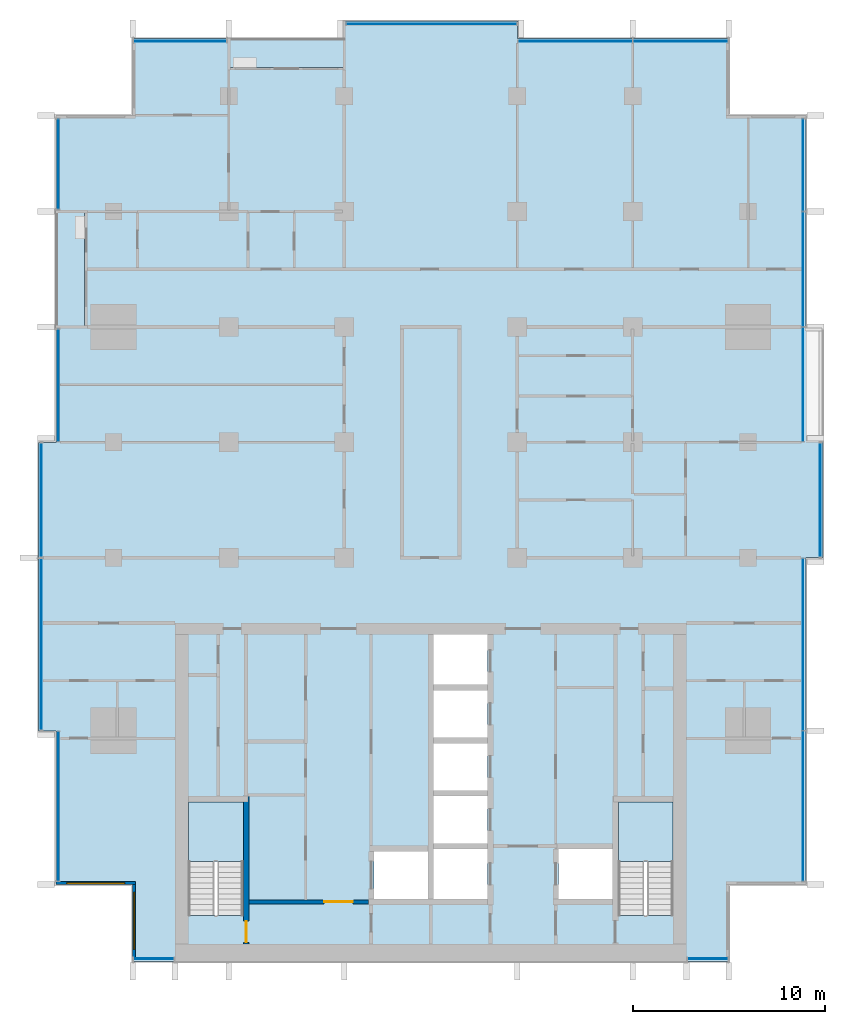
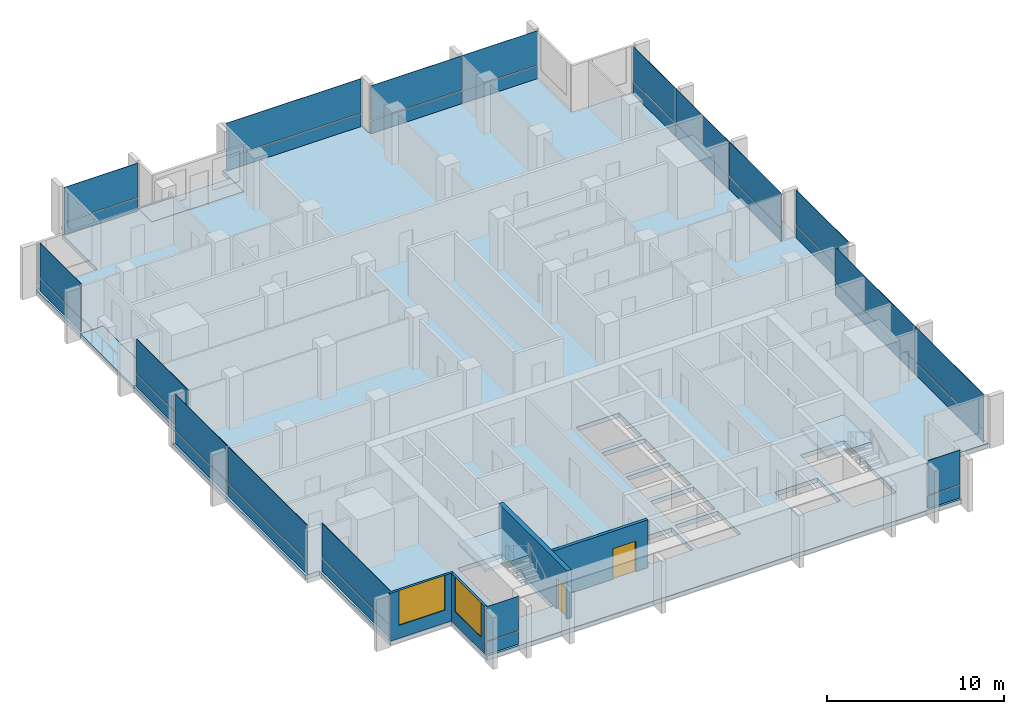
# One storey, part 6 of 16: 34 plates, 5 slabs, 4 walls, 2 doors, 2 windows, 4 openings, 15 elements without a shape of their own.
"""IFC4 building model written with IfcOpenShell, lengths in metres."""

import ifcopenshell
import ifcopenshell.guid

model = None  # the IFC model being written
_history = None  # IfcOwnerHistory: only IFC2X3 demands one
_inside = {}  # id of a spatial element -> (the spatial element, [elements in it])
_under = {}  # id of a project, library or spatial element -> (it, [spatial elements below it])
_declared = {}  # id of a project -> (the project, [libraries it declares])
_typed = {}  # id of a type object -> (the type object, [elements of that type])
_made_of = {}  # id of a material, layer set ... -> (it, [elements and type objects made of it])


def new_model(schema):
    """Start an empty IFC model of exactly this schema.

    Asked for "IFC4X3", IfcOpenShell would pick the latest addendum, in which some entities
    have other attributes; the version numbers below select the first issue.
    IFC2X3 requires an IfcOwnerHistory on every rooted entity: one is made here for all.
    """
    global model, _history
    if schema == "IFC4X3":
        model = ifcopenshell.file(schema_version=(4, 3, 0, 0))
    else:
        model = ifcopenshell.file(schema=schema)
    _inside.clear()
    _under.clear()
    _declared.clear()
    _typed.clear()
    _made_of.clear()
    _history = None
    if model.schema == "IFC2X3":
        org = make("IfcOrganization", Name="unknown")
        user = make(
            "IfcPersonAndOrganization",
            ThePerson=make("IfcPerson", FamilyName="unknown"),
            TheOrganization=org,
        )
        app = make(
            "IfcApplication",
            ApplicationDeveloper=org,
            Version="unknown",
            ApplicationFullName="unknown",
            ApplicationIdentifier="unknown",
        )
        _history = make(
            "IfcOwnerHistory",
            OwningUser=user,
            OwningApplication=app,
            ChangeAction="ADDED",
            CreationDate=0,
        )
    return model


def make(cls, **values):
    """One entity of the class cls with the attributes given. An attribute that is None is left unset."""
    return model.create_entity(
        cls, **{name: value for name, value in values.items() if value is not None}
    )


def rooted(cls, **values):
    """An entity with a GlobalId (a new one), such as an element, a storey or a relation."""
    return make(cls, GlobalId=ifcopenshell.guid.new(), OwnerHistory=_history, **values)


def si_unit(unit_type, name, prefix=None):
    """IfcSIUnit, for example si_unit("LENGTHUNIT", "METRE", prefix="MILLI")."""
    return make("IfcSIUnit", UnitType=unit_type, Prefix=prefix, Name=name)


def assignment(units):
    """IfcUnitAssignment: the units of a project."""
    return None if units is None else make("IfcUnitAssignment", Units=units)


def point(xyz):
    """IfcCartesianPoint."""
    return None if xyz is None else make("IfcCartesianPoint", Coordinates=xyz)


def direction(xyz):
    """IfcDirection."""
    return None if xyz is None else make("IfcDirection", DirectionRatios=xyz)


def frame(location, z_axis=None, x_axis=None):
    """IfcAxis2Placement3D, a coordinate frame: its origin and axes. An axis left out is left unset."""
    return make(
        "IfcAxis2Placement3D",
        Location=point(location),
        Axis=direction(z_axis),
        RefDirection=direction(x_axis),
    )


def frame_2d(location, x_axis=None):
    """IfcAxis2Placement2D, a coordinate frame in the plane: its origin and x axis."""
    return make(
        "IfcAxis2Placement2D", Location=point(location), RefDirection=direction(x_axis)
    )


def origin():
    """The frame at (0, 0, 0) with its axes left unset."""
    return frame((0.0, 0.0, 0.0))


def origin_2d():
    """The frame at (0, 0) in the plane with its x axis left unset."""
    return frame_2d((0.0, 0.0))


def place(relative_to, where):
    """IfcLocalPlacement: puts the frame where relative to a parent placement (None: the world)."""
    return make(
        "IfcLocalPlacement", PlacementRelTo=relative_to, RelativePlacement=where
    )


def context(
    kind, dimensions, precision=None, world=None, true_north=None, identifier=None
):
    """IfcGeometricRepresentationContext, for example the 3D "Model" context."""
    return make(
        "IfcGeometricRepresentationContext",
        ContextIdentifier=identifier,
        ContextType=kind,
        CoordinateSpaceDimension=dimensions,
        Precision=precision,
        WorldCoordinateSystem=world,
        TrueNorth=true_north,
    )


def subcontext(parent, identifier, kind, view, scale=None):
    """IfcGeometricRepresentationSubContext, for example "Body" below "Model"."""
    return make(
        "IfcGeometricRepresentationSubContext",
        ContextIdentifier=identifier,
        ContextType=kind,
        ParentContext=parent,
        TargetScale=scale,
        TargetView=view,
    )


def project(units=None, contexts=None):
    """IfcProject with its units and contexts."""
    return rooted(
        "IfcProject",
        Name="project",
        RepresentationContexts=contexts,
        UnitsInContext=assignment(units),
    )


def spatial(cls, under=None, at=None, **own):
    """A site, building, storey or space (cls), placed at a placement, below another one or the project."""
    s = rooted(cls, ObjectPlacement=at, **own)
    if under is not None:
        _under.setdefault(under.id(), (under, []))[1].append(s)
    return s


def polyline(points):
    """IfcPolyline through the points."""
    return make("IfcPolyline", Points=[point(p) for p in points])


def profile(cls, at=None, kind="AREA", **sizes):
    """A parametric profile (cls). Its sizes go by their IFC names, for example OverallWidth=200.0."""
    return make(cls, ProfileType=kind, Position=at, **sizes)


def rectangle(**sizes):
    """IfcRectangleProfileDef."""
    return profile("IfcRectangleProfileDef", **sizes)


def outline(outer, holes=None, kind="AREA"):
    """IfcArbitraryClosedProfileDef: a profile drawn as a closed curve; with holes, ...WithVoids."""
    if holes is None:
        return make("IfcArbitraryClosedProfileDef", ProfileType=kind, OuterCurve=outer)
    return make(
        "IfcArbitraryProfileDefWithVoids",
        ProfileType=kind,
        OuterCurve=outer,
        InnerCurves=holes,
    )


def extrude(swept, where, along, depth):
    """IfcExtrudedAreaSolid: the profile swept, set in the frame where, extruded along a direction by depth."""
    return make(
        "IfcExtrudedAreaSolid",
        SweptArea=swept,
        Position=where,
        ExtrudedDirection=direction(along),
        Depth=depth,
    )


def shape(context_of_items, identifier, shape_type, items):
    """IfcShapeRepresentation: the items that make up one representation, for example the "Body"."""
    return make(
        "IfcShapeRepresentation",
        ContextOfItems=context_of_items,
        RepresentationIdentifier=identifier,
        RepresentationType=shape_type,
        Items=items,
    )


def material(Name=None, Category=None):
    """IfcMaterial."""
    return make("IfcMaterial", Name=Name, Category=Category)


def layer(
    of_material, thickness, ventilated=None, Name=None, Category=None, Priority=None
):
    """IfcMaterialLayer: one layer of a wall or slab, of a material (None: an air gap)."""
    return make(
        "IfcMaterialLayer",
        Material=of_material,
        LayerThickness=thickness,
        IsVentilated=ventilated,
        Name=Name,
        Category=Category,
        Priority=Priority,
    )


def layer_set(layers, Name=None):
    """IfcMaterialLayerSet."""
    return make("IfcMaterialLayerSet", MaterialLayers=layers, LayerSetName=Name)


def made_of(thing, what):
    """Note that an element or type object is made of a material, layer set ...; save() writes the relation."""
    if what is not None:
        _made_of.setdefault(what.id(), (what, []))[1].append(thing)
    return thing


def type_object(cls, material=None, **own):
    """A type object (cls), such as IfcWallType, which elements share."""
    return made_of(rooted(cls, **own), material)


def element(
    cls,
    number,
    at=None,
    inside=None,
    cuts=None,
    type_object=None,
    material=None,
    context=None,
    identifier="Body",
    shape_type=None,
    held_by="IfcProductDefinitionShape",
    body=None,
    shapes=None,
    **own,
):
    """One element of the class cls, such as IfcWall. Its Tag is "e" and its number.

    at: its placement. inside: the storey or other place that contains it. cuts: it is an
    opening in that element (IfcRelVoidsElement). A single representation is given by context,
    identifier, shape_type and body (its items); several are given by shapes. held_by: the class
    of the entity that holds the representations. save() writes the other relations.
    """
    e = rooted(cls, Tag="e%d" % number, ObjectPlacement=at, **own)
    if body is not None:
        shapes = [shape(context, identifier, shape_type, body)]
    if shapes is not None:
        e.Representation = make(held_by, Representations=shapes)
    if inside is not None:
        _inside.setdefault(inside.id(), (inside, []))[1].append(e)
    if cuts is not None:
        rooted(
            "IfcRelVoidsElement", RelatingBuildingElement=cuts, RelatedOpeningElement=e
        )
    if type_object is not None:
        _typed.setdefault(type_object.id(), (type_object, []))[1].append(e)
    return made_of(e, material)


def fill(opening, filler):
    """IfcRelFillsElement: the door or window that sits in an opening."""
    return rooted(
        "IfcRelFillsElement",
        RelatingOpeningElement=opening,
        RelatedBuildingElement=filler,
    )


def aggregate(whole, parts):
    """IfcRelAggregates: a whole, such as a stair, and the parts it consists of."""
    return rooted("IfcRelAggregates", RelatingObject=whole, RelatedObjects=parts)


def save(model, path):
    """Write the relations noted so far, then the file.

    IfcRelAggregates (storeys below a building ...), IfcRelContainedInSpatialStructure (elements
    in a storey), IfcRelDefinesByType, IfcRelAssociatesMaterial and IfcRelDeclares: one each for
    every whole, place, type object, material and project.
    """
    for whole, parts in _under.values():
        aggregate(whole, parts)
    for where, things in _inside.values():
        rooted(
            "IfcRelContainedInSpatialStructure",
            RelatedElements=things,
            RelatingStructure=where,
        )
    for kind, things in _typed.values():
        rooted("IfcRelDefinesByType", RelatedObjects=things, RelatingType=kind)
    for what, things in _made_of.values():
        rooted("IfcRelAssociatesMaterial", RelatedObjects=things, RelatingMaterial=what)
    for by, libraries in _declared.values():
        rooted("IfcRelDeclares", RelatingContext=by, RelatedDefinitions=libraries)
    model.write(path)


model = new_model("IFC4")

# Units and contexts
model_context = context("Model", 3, precision=1e-05, world=origin(), true_north=direction((0.0, 1.0)))
body_context = subcontext(model_context, "Body", "Model", "MODEL_VIEW")
ifc_project = project(units=[si_unit("LENGTHUNIT", "METRE"), si_unit("AREAUNIT", "SQUARE_METRE"), si_unit("VOLUMEUNIT", "CUBIC_METRE"), si_unit("PLANEANGLEUNIT", "RADIAN"), si_unit("MASSUNIT", "GRAM", prefix="KILO")], contexts=[model_context])

# Site, building, storey
site_placement = place(None, origin())
site = spatial("IfcSite", under=ifc_project, at=site_placement, CompositionType="ELEMENT")
building_placement = place(site_placement, origin())
building = spatial("IfcBuilding", under=site, at=building_placement, Name="Finial Court Residences", CompositionType="ELEMENT")
storey_placement = place(building_placement, frame((0.0, 0.0, 185.300048828125)))
storey = spatial("IfcBuildingStorey", under=building, at=storey_placement, Name="L46", CompositionType="ELEMENT", Elevation=185.300048828125)

# Slabs
ifc_material_1 = material(Name="Concrete C35/45", Category="concrete")
ifc_layer_1 = layer(ifc_material_1, 0.199951171875)
ifc_layer_set_1 = layer_set([ifc_layer_1], Name="Balcony slab, Concrete C35/45 200")
slab_type_1 = type_object("IfcSlabType", Name="Balcony slab, Concrete C35/45 200", PredefinedType="FLOOR", material=ifc_layer_set_1)
slab_1_placement = place(storey_placement, frame((0.0, 0.0, -0.199951171875)))
element("IfcSlab", 1, at=slab_1_placement, inside=storey, type_object=slab_type_1, Name="Balcony L46-N2", PredefinedType="FLOOR", context=body_context, shape_type="SweptSolid", body=[
    extrude(outline(polyline([(-4.5, 21.0), (-4.5, 22.5), (-10.5, 22.5), (-10.5, 21.0), (-4.5, 21.0)])), origin(), (0.0, 0.0, 1.0), 0.199951171875),
])
slab_2_placement = place(storey_placement, frame((0.0, 0.0, -0.199951171875)))
element("IfcSlab", 2, at=slab_2_placement, inside=storey, type_object=slab_type_1, Name="Balcony L46-W5", PredefinedType="FLOOR", context=body_context, shape_type="SweptSolid", body=[
    extrude(outline(polyline([(-18.0, 7.5), (-18.0, 13.5), (-19.5, 13.5), (-19.5, 7.5), (-18.0, 7.5)])), origin(), (0.0, 0.0, 1.0), 0.199951171875),
])

# Curtain wall, plate
ifc_material_2 = material(Name="Bronze anodised aluminium", Category="aluminium")
curtain_wall_type = type_object("IfcCurtainWallType", Name="Unitised curtain wall, upper zones", PredefinedType="NOTDEFINED", material=ifc_material_2)
curtain_wall_1_placement = place(storey_placement, origin())
curtain_wall_1 = element("IfcCurtainWall", 3, at=curtain_wall_1_placement, inside=storey, type_object=curtain_wall_type, Name="E-L46-CW-N1", PredefinedType="NOTDEFINED")
ifc_layer_2 = layer(ifc_material_2, 0.035888671875)
ifc_layer_set_2 = layer_set([ifc_layer_2], Name="CW2 spandrel panel 36")
plate_type_1 = type_object("IfcPlateType", Name="CW2 spandrel panel 36", PredefinedType="CURTAIN_PANEL", material=ifc_layer_set_2)
plate_1_placement = place(storey_placement, frame((-13.03759765625, 22.35009765625, 0.0), z_axis=(0.0, 0.0, 1.0), x_axis=(1.0, 0.0, 0.0)))
plate_1 = element("IfcPlate", 4, at=plate_1_placement, type_object=plate_type_1, Name="CW2 spandrel 1.1", PredefinedType="CURTAIN_PANEL", context=body_context, shape_type="SweptSolid", body=[
    extrude(rectangle(XDim=4.804931640625, YDim=0.035888671875, at=origin_2d()), origin(), (0.0, 0.0, 1.0), 0.8701171875),
])

curtain_wall_2_placement = place(storey_placement, origin())
curtain_wall_2 = element("IfcCurtainWall", 5, at=curtain_wall_2_placement, inside=storey, type_object=curtain_wall_type, Name="E-L46-CW-N2", PredefinedType="NOTDEFINED")
plate_2_placement = place(storey_placement, frame((0.03759765625, 23.25, 0.0), z_axis=(0.0, 0.0, 1.0), x_axis=(1.0, 0.0, 0.0)))
plate_2 = element("IfcPlate", 6, at=plate_2_placement, type_object=plate_type_1, Name="CW2 spandrel 1.1", PredefinedType="CURTAIN_PANEL", context=body_context, shape_type="SweptSolid", body=[
    extrude(rectangle(XDim=8.804931640625, YDim=0.035888671875, at=origin_2d()), origin(), (0.0, 0.0, 1.0), 0.8701171875),
])

# Curtain wall, plates
curtain_wall_3_placement = place(storey_placement, origin())
curtain_wall_3 = element("IfcCurtainWall", 7, at=curtain_wall_3_placement, inside=storey, type_object=curtain_wall_type, Name="E-L46-CW-N3", PredefinedType="NOTDEFINED")
plate_3_placement = place(storey_placement, frame((7.514892578125, 22.35009765625, 0.0), z_axis=(0.0, 0.0, 1.0), x_axis=(1.0, 0.0, 0.0)))
plate_3 = element("IfcPlate", 8, at=plate_3_placement, type_object=plate_type_1, Name="CW2 spandrel 1.1", PredefinedType="CURTAIN_PANEL", context=body_context, shape_type="SweptSolid", body=[
    extrude(rectangle(XDim=5.909912109375, YDim=0.035888671875, at=origin_2d()), origin(), (0.0, 0.0, 1.0), 0.8701171875),
])
plate_4_placement = place(storey_placement, frame((12.985107421875, 22.35009765625, 0.0), z_axis=(0.0, 0.0, 1.0), x_axis=(1.0, 0.0, 0.0)))
plate_4 = element("IfcPlate", 9, at=plate_4_placement, type_object=plate_type_1, Name="CW2 spandrel 2.1", PredefinedType="CURTAIN_PANEL", context=body_context, shape_type="SweptSolid", body=[
    extrude(rectangle(XDim=4.909912109375, YDim=0.035888671875, at=origin_2d()), origin(), (0.0, 0.0, 1.0), 0.8701171875),
])

curtain_wall_4_placement = place(storey_placement, origin())
curtain_wall_4 = element("IfcCurtainWall", 10, at=curtain_wall_4_placement, inside=storey, type_object=curtain_wall_type, Name="E-L46-CW-E4", PredefinedType="NOTDEFINED")
plate_5_placement = place(storey_placement, frame((19.35009765625, -17.409912109375, 0.0), z_axis=(0.0, 0.0, 1.0), x_axis=(0.0, 1.0, 0.0)))
plate_5 = element("IfcPlate", 11, at=plate_5_placement, type_object=plate_type_1, Name="CW2 spandrel 1.1", PredefinedType="CURTAIN_PANEL", context=body_context, shape_type="SweptSolid", body=[
    extrude(rectangle(XDim=7.760009765625, YDim=0.035888671875, at=origin_2d()), origin(), (0.0, 0.0, 1.0), 0.8701171875),
])
plate_6_placement = place(storey_placement, frame((19.35009765625, -9.014892578125, 0.0), z_axis=(0.0, 0.0, 1.0), x_axis=(0.0, 1.0, 0.0)))
plate_6 = element("IfcPlate", 12, at=plate_6_placement, type_object=plate_type_1, Name="CW2 spandrel 2.1", PredefinedType="CURTAIN_PANEL", context=body_context, shape_type="SweptSolid", body=[
    extrude(rectangle(XDim=8.909912109375, YDim=0.035888671875, at=origin_2d()), origin(), (0.0, 0.0, 1.0), 0.8701171875),
])

# Curtain wall, plate
curtain_wall_5_placement = place(storey_placement, origin())
curtain_wall_5 = element("IfcCurtainWall", 13, at=curtain_wall_5_placement, inside=storey, type_object=curtain_wall_type, Name="E-L46-CW-E5", PredefinedType="NOTDEFINED")
plate_7_placement = place(storey_placement, frame((20.25, -1.5, 0.0), z_axis=(0.0, 0.0, 1.0), x_axis=(0.0, 1.0, 0.0)))
plate_7 = element("IfcPlate", 14, at=plate_7_placement, type_object=plate_type_1, Name="CW2 spandrel 1.1", PredefinedType="CURTAIN_PANEL", context=body_context, shape_type="SweptSolid", body=[
    extrude(rectangle(XDim=5.8798828125, YDim=0.035888671875, at=origin_2d()), origin(), (0.0, 0.0, 1.0), 0.8701171875),
])

# Curtain wall, plates
curtain_wall_6_placement = place(storey_placement, origin())
curtain_wall_6 = element("IfcCurtainWall", 15, at=curtain_wall_6_placement, inside=storey, type_object=curtain_wall_type, Name="E-L46-CW-E6", PredefinedType="NOTDEFINED")
plate_8_placement = place(storey_placement, frame((19.35009765625, 4.514892578125, 0.0), z_axis=(0.0, 0.0, 1.0), x_axis=(0.0, 1.0, 0.0)))
plate_8 = element("IfcPlate", 16, at=plate_8_placement, type_object=plate_type_1, Name="CW2 spandrel 1.1", PredefinedType="CURTAIN_PANEL", context=body_context, shape_type="SweptSolid", body=[
    extrude(rectangle(XDim=5.909912109375, YDim=0.035888671875, at=origin_2d()), origin(), (0.0, 0.0, 1.0), 0.8701171875),
])
plate_9_placement = place(storey_placement, frame((19.35009765625, 10.5, 0.0), z_axis=(0.0, 0.0, 1.0), x_axis=(0.0, 1.0, 0.0)))
plate_9 = element("IfcPlate", 17, at=plate_9_placement, type_object=plate_type_1, Name="CW2 spandrel 2.1", PredefinedType="CURTAIN_PANEL", context=body_context, shape_type="SweptSolid", body=[
    extrude(rectangle(XDim=5.93994140625, YDim=0.035888671875, at=origin_2d()), origin(), (0.0, 0.0, 1.0), 0.8701171875),
])
plate_10_placement = place(storey_placement, frame((19.35009765625, 15.909912109375, 0.0), z_axis=(0.0, 0.0, 1.0), x_axis=(0.0, 1.0, 0.0)))
plate_10 = element("IfcPlate", 18, at=plate_10_placement, type_object=plate_type_1, Name="CW2 spandrel 3.1", PredefinedType="CURTAIN_PANEL", context=body_context, shape_type="SweptSolid", body=[
    extrude(rectangle(XDim=4.760009765625, YDim=0.035888671875, at=origin_2d()), origin(), (0.0, 0.0, 1.0), 0.8701171875),
])

# Curtain wall, plate
curtain_wall_7_placement = place(storey_placement, origin())
curtain_wall_7 = element("IfcCurtainWall", 19, at=curtain_wall_7_placement, inside=storey, type_object=curtain_wall_type, Name="E-L46-CW-S7", PredefinedType="NOTDEFINED")
plate_11_placement = place(storey_placement, frame((-14.39990234375, -25.35009765625, 0.0), z_axis=(0.0, 0.0, 1.0), x_axis=(1.0, 0.0, 0.0)))
plate_11 = element("IfcPlate", 20, at=plate_11_placement, type_object=plate_type_1, Name="CW2 spandrel 1.1", PredefinedType="CURTAIN_PANEL", context=body_context, shape_type="SweptSolid", body=[
    extrude(rectangle(XDim=2.080078125, YDim=0.035888671875, at=origin_2d()), origin(), (0.0, 0.0, 1.0), 0.8701171875),
])

curtain_wall_8_placement = place(storey_placement, origin())
curtain_wall_8 = element("IfcCurtainWall", 21, at=curtain_wall_8_placement, inside=storey, type_object=curtain_wall_type, Name="E-L46-CW-S8", PredefinedType="NOTDEFINED")
plate_12_placement = place(storey_placement, frame((14.39990234375, -25.35009765625, 0.0), z_axis=(0.0, 0.0, 1.0), x_axis=(1.0, 0.0, 0.0)))
plate_12 = element("IfcPlate", 22, at=plate_12_placement, type_object=plate_type_1, Name="CW2 spandrel 1.1", PredefinedType="CURTAIN_PANEL", context=body_context, shape_type="SweptSolid", body=[
    extrude(rectangle(XDim=2.080078125, YDim=0.035888671875, at=origin_2d()), origin(), (0.0, 0.0, 1.0), 0.8701171875),
])

curtain_wall_9_placement = place(storey_placement, origin())
curtain_wall_9 = element("IfcCurtainWall", 23, at=curtain_wall_9_placement, inside=storey, type_object=curtain_wall_type, Name="E-L46-CW-W9", PredefinedType="NOTDEFINED")
plate_13_placement = place(storey_placement, frame((-19.35009765625, -17.425048828125, 0.0), z_axis=(0.0, 0.0, 1.0), x_axis=(0.0, 1.0, 0.0)))
plate_13 = element("IfcPlate", 24, at=plate_13_placement, type_object=plate_type_1, Name="CW2 spandrel 1.1", PredefinedType="CURTAIN_PANEL", context=body_context, shape_type="SweptSolid", body=[
    extrude(rectangle(XDim=7.72998046875, YDim=0.035888671875, at=origin_2d()), origin(), (0.0, 0.0, 1.0), 0.8701171875),
])

curtain_wall_10_placement = place(storey_placement, origin())
curtain_wall_10 = element("IfcCurtainWall", 25, at=curtain_wall_10_placement, inside=storey, type_object=curtain_wall_type, Name="E-L46-CW-W10", PredefinedType="NOTDEFINED")
plate_14_placement = place(storey_placement, frame((-20.25, -9.0, 0.0), z_axis=(0.0, 0.0, 1.0), x_axis=(0.0, 1.0, 0.0)))
plate_14 = element("IfcPlate", 26, at=plate_14_placement, type_object=plate_type_1, Name="CW2 spandrel 1.1", PredefinedType="CURTAIN_PANEL", context=body_context, shape_type="SweptSolid", body=[
    extrude(rectangle(XDim=8.8798828125, YDim=0.035888671875, at=origin_2d()), origin(), (0.0, 0.0, 1.0), 0.8701171875),
])

curtain_wall_11_placement = place(storey_placement, origin())
curtain_wall_11 = element("IfcCurtainWall", 27, at=curtain_wall_11_placement, inside=storey, type_object=curtain_wall_type, Name="E-L46-CW-W11", PredefinedType="NOTDEFINED")
plate_15_placement = place(storey_placement, frame((-20.25, -1.5, 0.0), z_axis=(0.0, 0.0, 1.0), x_axis=(0.0, 1.0, 0.0)))
plate_15 = element("IfcPlate", 28, at=plate_15_placement, type_object=plate_type_1, Name="CW2 spandrel 1.1", PredefinedType="CURTAIN_PANEL", context=body_context, shape_type="SweptSolid", body=[
    extrude(rectangle(XDim=5.8798828125, YDim=0.035888671875, at=origin_2d()), origin(), (0.0, 0.0, 1.0), 0.8701171875),
])

curtain_wall_12_placement = place(storey_placement, origin())
curtain_wall_12 = element("IfcCurtainWall", 29, at=curtain_wall_12_placement, inside=storey, type_object=curtain_wall_type, Name="E-L46-CW-W12", PredefinedType="NOTDEFINED")
plate_16_placement = place(storey_placement, frame((-19.35009765625, 4.46240234375, 0.0), z_axis=(0.0, 0.0, 1.0), x_axis=(0.0, 1.0, 0.0)))
plate_16 = element("IfcPlate", 30, at=plate_16_placement, type_object=plate_type_1, Name="CW2 spandrel 1.1", PredefinedType="CURTAIN_PANEL", context=body_context, shape_type="SweptSolid", body=[
    extrude(rectangle(XDim=5.804931640625, YDim=0.035888671875, at=origin_2d()), origin(), (0.0, 0.0, 1.0), 0.8701171875),
])

curtain_wall_13_placement = place(storey_placement, origin())
curtain_wall_13 = element("IfcCurtainWall", 31, at=curtain_wall_13_placement, inside=storey, type_object=curtain_wall_type, Name="E-L46-CW-W13", PredefinedType="NOTDEFINED")
plate_17_placement = place(storey_placement, frame((-19.35009765625, 15.96240234375, 0.0), z_axis=(0.0, 0.0, 1.0), x_axis=(0.0, 1.0, 0.0)))
plate_17 = element("IfcPlate", 32, at=plate_17_placement, type_object=plate_type_1, Name="CW2 spandrel 1.1", PredefinedType="CURTAIN_PANEL", context=body_context, shape_type="SweptSolid", body=[
    extrude(rectangle(XDim=4.655029296875, YDim=0.035888671875, at=origin_2d()), origin(), (0.0, 0.0, 1.0), 0.8701171875),
])

# Plate
ifc_material_3 = material(Name="Clear low-e glass", Category="glass")
ifc_layer_3 = layer(ifc_material_3, 0.030029296875)
ifc_layer_set_3 = layer_set([ifc_layer_3], Name="CW2 vision glass 30")
plate_type_2 = type_object("IfcPlateType", Name="CW2 vision glass 30", PredefinedType="CURTAIN_PANEL", material=ifc_layer_set_3)
plate_18_placement = place(storey_placement, frame((-13.03759765625, 22.35009765625, 0.929931640625), z_axis=(0.0, 0.0, 1.0), x_axis=(1.0, 0.0, 0.0)))
plate_18 = element("IfcPlate", 33, at=plate_18_placement, type_object=plate_type_2, Name="CW2 glass 1.2", PredefinedType="CURTAIN_PANEL", context=body_context, shape_type="SweptSolid", body=[
    extrude(rectangle(XDim=4.804931640625, YDim=0.030029296875, at=origin_2d()), origin(), (0.0, 0.0, 1.0), 2.3701171875),
])

aggregate(curtain_wall_1, [plate_1, plate_18])

plate_19_placement = place(storey_placement, frame((0.03759765625, 23.25, 0.929931640625), z_axis=(0.0, 0.0, 1.0), x_axis=(1.0, 0.0, 0.0)))
plate_19 = element("IfcPlate", 34, at=plate_19_placement, type_object=plate_type_2, Name="CW2 glass 1.2", PredefinedType="CURTAIN_PANEL", context=body_context, shape_type="SweptSolid", body=[
    extrude(rectangle(XDim=8.804931640625, YDim=0.030029296875, at=origin_2d()), origin(), (0.0, 0.0, 1.0), 2.3701171875),
])

aggregate(curtain_wall_2, [plate_2, plate_19])

plate_20_placement = place(storey_placement, frame((7.514892578125, 22.35009765625, 0.929931640625), z_axis=(0.0, 0.0, 1.0), x_axis=(1.0, 0.0, 0.0)))
plate_20 = element("IfcPlate", 35, at=plate_20_placement, type_object=plate_type_2, Name="CW2 glass 1.2", PredefinedType="CURTAIN_PANEL", context=body_context, shape_type="SweptSolid", body=[
    extrude(rectangle(XDim=5.909912109375, YDim=0.030029296875, at=origin_2d()), origin(), (0.0, 0.0, 1.0), 2.3701171875),
])

plate_21_placement = place(storey_placement, frame((12.985107421875, 22.35009765625, 0.929931640625), z_axis=(0.0, 0.0, 1.0), x_axis=(1.0, 0.0, 0.0)))
plate_21 = element("IfcPlate", 36, at=plate_21_placement, type_object=plate_type_2, Name="CW2 glass 2.2", PredefinedType="CURTAIN_PANEL", context=body_context, shape_type="SweptSolid", body=[
    extrude(rectangle(XDim=4.909912109375, YDim=0.030029296875, at=origin_2d()), origin(), (0.0, 0.0, 1.0), 2.3701171875),
])

aggregate(curtain_wall_3, [plate_3, plate_20, plate_4, plate_21])

plate_22_placement = place(storey_placement, frame((19.35009765625, -17.409912109375, 0.929931640625), z_axis=(0.0, 0.0, 1.0), x_axis=(0.0, 1.0, 0.0)))
plate_22 = element("IfcPlate", 37, at=plate_22_placement, type_object=plate_type_2, Name="CW2 glass 1.2", PredefinedType="CURTAIN_PANEL", context=body_context, shape_type="SweptSolid", body=[
    extrude(rectangle(XDim=7.760009765625, YDim=0.030029296875, at=origin_2d()), origin(), (0.0, 0.0, 1.0), 2.3701171875),
])

plate_23_placement = place(storey_placement, frame((19.35009765625, -9.014892578125, 0.929931640625), z_axis=(0.0, 0.0, 1.0), x_axis=(0.0, 1.0, 0.0)))
plate_23 = element("IfcPlate", 38, at=plate_23_placement, type_object=plate_type_2, Name="CW2 glass 2.2", PredefinedType="CURTAIN_PANEL", context=body_context, shape_type="SweptSolid", body=[
    extrude(rectangle(XDim=8.909912109375, YDim=0.030029296875, at=origin_2d()), origin(), (0.0, 0.0, 1.0), 2.3701171875),
])

aggregate(curtain_wall_4, [plate_5, plate_22, plate_6, plate_23])

plate_24_placement = place(storey_placement, frame((20.25, -1.5, 0.929931640625), z_axis=(0.0, 0.0, 1.0), x_axis=(0.0, 1.0, 0.0)))
plate_24 = element("IfcPlate", 39, at=plate_24_placement, type_object=plate_type_2, Name="CW2 glass 1.2", PredefinedType="CURTAIN_PANEL", context=body_context, shape_type="SweptSolid", body=[
    extrude(rectangle(XDim=5.8798828125, YDim=0.030029296875, at=origin_2d()), origin(), (0.0, 0.0, 1.0), 2.3701171875),
])

aggregate(curtain_wall_5, [plate_7, plate_24])

plate_25_placement = place(storey_placement, frame((19.35009765625, 4.514892578125, 0.929931640625), z_axis=(0.0, 0.0, 1.0), x_axis=(0.0, 1.0, 0.0)))
plate_25 = element("IfcPlate", 40, at=plate_25_placement, type_object=plate_type_2, Name="CW2 glass 1.2", PredefinedType="CURTAIN_PANEL", context=body_context, shape_type="SweptSolid", body=[
    extrude(rectangle(XDim=5.909912109375, YDim=0.030029296875, at=origin_2d()), origin(), (0.0, 0.0, 1.0), 2.3701171875),
])

plate_26_placement = place(storey_placement, frame((19.35009765625, 10.5, 0.929931640625), z_axis=(0.0, 0.0, 1.0), x_axis=(0.0, 1.0, 0.0)))
plate_26 = element("IfcPlate", 41, at=plate_26_placement, type_object=plate_type_2, Name="CW2 glass 2.2", PredefinedType="CURTAIN_PANEL", context=body_context, shape_type="SweptSolid", body=[
    extrude(rectangle(XDim=5.93994140625, YDim=0.030029296875, at=origin_2d()), origin(), (0.0, 0.0, 1.0), 2.3701171875),
])

plate_27_placement = place(storey_placement, frame((19.35009765625, 15.909912109375, 0.929931640625), z_axis=(0.0, 0.0, 1.0), x_axis=(0.0, 1.0, 0.0)))
plate_27 = element("IfcPlate", 42, at=plate_27_placement, type_object=plate_type_2, Name="CW2 glass 3.2", PredefinedType="CURTAIN_PANEL", context=body_context, shape_type="SweptSolid", body=[
    extrude(rectangle(XDim=4.760009765625, YDim=0.030029296875, at=origin_2d()), origin(), (0.0, 0.0, 1.0), 2.3701171875),
])

aggregate(curtain_wall_6, [plate_8, plate_25, plate_9, plate_26, plate_10, plate_27])

plate_28_placement = place(storey_placement, frame((-14.39990234375, -25.35009765625, 0.929931640625), z_axis=(0.0, 0.0, 1.0), x_axis=(1.0, 0.0, 0.0)))
plate_28 = element("IfcPlate", 43, at=plate_28_placement, type_object=plate_type_2, Name="CW2 glass 1.2", PredefinedType="CURTAIN_PANEL", context=body_context, shape_type="SweptSolid", body=[
    extrude(rectangle(XDim=2.080078125, YDim=0.030029296875, at=origin_2d()), origin(), (0.0, 0.0, 1.0), 2.3701171875),
])

aggregate(curtain_wall_7, [plate_11, plate_28])

plate_29_placement = place(storey_placement, frame((14.39990234375, -25.35009765625, 0.929931640625), z_axis=(0.0, 0.0, 1.0), x_axis=(1.0, 0.0, 0.0)))
plate_29 = element("IfcPlate", 44, at=plate_29_placement, type_object=plate_type_2, Name="CW2 glass 1.2", PredefinedType="CURTAIN_PANEL", context=body_context, shape_type="SweptSolid", body=[
    extrude(rectangle(XDim=2.080078125, YDim=0.030029296875, at=origin_2d()), origin(), (0.0, 0.0, 1.0), 2.3701171875),
])

aggregate(curtain_wall_8, [plate_12, plate_29])

plate_30_placement = place(storey_placement, frame((-19.35009765625, -17.425048828125, 0.929931640625), z_axis=(0.0, 0.0, 1.0), x_axis=(0.0, 1.0, 0.0)))
plate_30 = element("IfcPlate", 45, at=plate_30_placement, type_object=plate_type_2, Name="CW2 glass 1.2", PredefinedType="CURTAIN_PANEL", context=body_context, shape_type="SweptSolid", body=[
    extrude(rectangle(XDim=7.72998046875, YDim=0.030029296875, at=origin_2d()), origin(), (0.0, 0.0, 1.0), 2.3701171875),
])

aggregate(curtain_wall_9, [plate_13, plate_30])

plate_31_placement = place(storey_placement, frame((-20.25, -9.0, 0.93017578125), z_axis=(0.0, 0.0, 1.0), x_axis=(0.0, 1.0, 0.0)))
plate_31 = element("IfcPlate", 46, at=plate_31_placement, type_object=plate_type_2, Name="CW2 glass 1.2", PredefinedType="CURTAIN_PANEL", context=body_context, shape_type="SweptSolid", body=[
    extrude(rectangle(XDim=8.8798828125, YDim=0.030029296875, at=origin_2d()), origin(), (0.0, 0.0, 1.0), 2.469970703125),
])

aggregate(curtain_wall_10, [plate_14, plate_31])

plate_32_placement = place(storey_placement, frame((-20.25, -1.5, 0.93017578125), z_axis=(0.0, 0.0, 1.0), x_axis=(0.0, 1.0, 0.0)))
plate_32 = element("IfcPlate", 47, at=plate_32_placement, type_object=plate_type_2, Name="CW2 glass 1.2", PredefinedType="CURTAIN_PANEL", context=body_context, shape_type="SweptSolid", body=[
    extrude(rectangle(XDim=5.8798828125, YDim=0.030029296875, at=origin_2d()), origin(), (0.0, 0.0, 1.0), 2.469970703125),
])

aggregate(curtain_wall_11, [plate_15, plate_32])

plate_33_placement = place(storey_placement, frame((-19.35009765625, 4.46240234375, 0.929931640625), z_axis=(0.0, 0.0, 1.0), x_axis=(0.0, 1.0, 0.0)))
plate_33 = element("IfcPlate", 48, at=plate_33_placement, type_object=plate_type_2, Name="CW2 glass 1.2", PredefinedType="CURTAIN_PANEL", context=body_context, shape_type="SweptSolid", body=[
    extrude(rectangle(XDim=5.804931640625, YDim=0.030029296875, at=origin_2d()), origin(), (0.0, 0.0, 1.0), 2.3701171875),
])

aggregate(curtain_wall_12, [plate_16, plate_33])

plate_34_placement = place(storey_placement, frame((-19.35009765625, 15.96240234375, 0.929931640625), z_axis=(0.0, 0.0, 1.0), x_axis=(0.0, 1.0, 0.0)))
plate_34 = element("IfcPlate", 49, at=plate_34_placement, type_object=plate_type_2, Name="CW2 glass 1.2", PredefinedType="CURTAIN_PANEL", context=body_context, shape_type="SweptSolid", body=[
    extrude(rectangle(XDim=4.655029296875, YDim=0.030029296875, at=origin_2d()), origin(), (0.0, 0.0, 1.0), 2.3701171875),
])

aggregate(curtain_wall_13, [plate_17, plate_34])

# Stair, slab
ifc_material_4 = material(Name="Concrete C50/60", Category="concrete")
stair_type = type_object("IfcStairType", Name="Exit stair 22 risers of 163.6 mm", PredefinedType="HALF_TURN_STAIR", material=ifc_material_4)
stair_1_placement = place(storey_placement, origin())
stair_1 = element("IfcStair", 50, at=stair_1_placement, inside=storey, type_object=stair_type, Name="L46 Exit stair ST-1", PredefinedType="HALF_TURN_STAIR")
ifc_layer_4 = layer(ifc_material_4, 0.199951171875)
ifc_layer_set_4 = layer_set([ifc_layer_4], Name="Exit stair landing")
slab_type_2 = type_object("IfcSlabType", Name="Exit stair landing", PredefinedType="LANDING", material=ifc_layer_set_4)
slab_3_placement = place(storey_placement, frame((0.0, 0.0, 1.599853515625)))
slab_3 = element("IfcSlab", 51, at=slab_3_placement, type_object=slab_type_2, Name="ST-1 landing 1", PredefinedType="LANDING", context=body_context, shape_type="SweptSolid", body=[
    extrude(outline(polyline([(-9.75, -20.300048828125), (-9.75, -17.199951171875), (-12.60009765625, -17.199951171875), (-12.60009765625, -20.300048828125), (-9.75, -20.300048828125)])), origin(), (0.0, 0.0, 1.0), 0.2001953125),
])
aggregate(stair_1, [slab_3])

stair_2_placement = place(storey_placement, origin())
stair_2 = element("IfcStair", 52, at=stair_2_placement, inside=storey, type_object=stair_type, Name="L46 Exit stair ST-2", PredefinedType="HALF_TURN_STAIR")
slab_4_placement = place(storey_placement, frame((0.0, 0.0, 1.599853515625)))
slab_4 = element("IfcSlab", 53, at=slab_4_placement, type_object=slab_type_2, Name="ST-2 landing 1", PredefinedType="LANDING", context=body_context, shape_type="SweptSolid", body=[
    extrude(outline(polyline([(12.60009765625, -20.300048828125), (12.60009765625, -17.199951171875), (9.75, -17.199951171875), (9.75, -20.300048828125), (12.60009765625, -20.300048828125)])), origin(), (0.0, 0.0, 1.0), 0.2001953125),
])
aggregate(stair_2, [slab_4])

# Slab
ifc_material_5 = material(Name="Concrete C40/50", Category="concrete")
ifc_layer_5 = layer(ifc_material_5, 0.300048828125)
ifc_layer_set_5 = layer_set([ifc_layer_5], Name="Flat plate slab 300 Concrete C40/50")
slab_type_3 = type_object("IfcSlabType", Name="Flat plate slab 300 Concrete C40/50", PredefinedType="FLOOR", material=ifc_layer_set_5)
slab_5_placement = place(storey_placement, frame((0.0, 0.0, -0.300048828125)))
element("IfcSlab", 54, at=slab_5_placement, inside=storey, type_object=slab_type_3, Name="S:SLAB:L46", PredefinedType="FLOOR", context=body_context, shape_type="SweptSolid", body=[
    extrude(outline(polyline([(-19.5, 7.5), (-18.0, 7.5), (-18.0, 13.5), (-19.5, 13.5), (-19.5, 18.5), (-15.5, 18.5), (-15.5, 22.5), (-10.5, 22.5), (-10.5, 21.0), (-4.5, 21.0), (-4.5, 22.5), (-4.5, 23.39990234375), (4.5, 23.39990234375), (4.5, 22.5), (15.5, 22.5), (15.5, 18.5), (19.5, 18.5), (19.5, 7.5), (20.39990234375, 7.5), (20.39990234375, 1.5), (20.39990234375, -4.5), (19.5, -4.5), (19.5, -21.5), (15.5, -21.5), (15.5, -25.5), (-15.5, -25.5), (-15.5, -21.5), (-19.5, -21.5), (-19.5, -13.5), (-20.39990234375, -13.5), (-20.39990234375, -4.5), (-20.39990234375, 1.5), (-19.5, 1.5), (-19.5, 7.5)]), holes=[polyline([(-0.14990234375, -19.77001953125), (-2.949951171875, -19.77001953125), (-2.949951171875, -22.25), (-0.14990234375, -22.25), (-0.14990234375, -19.77001953125)]), polyline([(2.949951171875, -19.64990234375), (0.14990234375, -19.64990234375), (0.14990234375, -22.25), (2.949951171875, -22.25), (2.949951171875, -19.64990234375)]), polyline([(9.449951171875, -19.64990234375), (6.64990234375, -19.64990234375), (6.64990234375, -22.25), (9.449951171875, -22.25), (9.449951171875, -19.64990234375)]), polyline([(-12.60009765625, -17.199951171875), (-12.60009765625, -23.09912109375), (-9.75, -23.09912109375), (-9.75, -17.199951171875), (-12.60009765625, -17.199951171875)]), polyline([(9.75, -17.199951171875), (9.75, -23.09912109375), (12.60009765625, -23.09912109375), (12.60009765625, -17.199951171875), (9.75, -17.199951171875)]), polyline([(2.949951171875, -16.89990234375), (0.14990234375, -16.89990234375), (0.14990234375, -19.35009765625), (2.949951171875, -19.35009765625), (2.949951171875, -16.89990234375)]), polyline([(2.949951171875, -14.14990234375), (0.14990234375, -14.14990234375), (0.14990234375, -16.60009765625), (2.949951171875, -16.60009765625), (2.949951171875, -14.14990234375)]), polyline([(2.949951171875, -13.85009765625), (2.949951171875, -11.39990234375), (0.14990234375, -11.39990234375), (0.14990234375, -13.85009765625), (2.949951171875, -13.85009765625)]), polyline([(2.949951171875, -11.10009765625), (2.949951171875, -8.5), (0.14990234375, -8.5), (0.14990234375, -11.10009765625), (2.949951171875, -11.10009765625)])]), origin(), (0.0, 0.0, 1.0), 0.300048828125),
])

# Wall, opening, door
ifc_material_6 = material(Name="Concrete C70/85", Category="concrete")
ifc_layer_6 = layer(ifc_material_6, 0.300048828125)
ifc_layer_set_6 = layer_set([ifc_layer_6], Name="Lift shaft and stair wall 300 Concrete C70/85")
wall_type_1 = type_object("IfcWallType", Name="Lift shaft and stair wall 300 Concrete C70/85", PredefinedType="SHEAR", material=ifc_layer_set_6)
wall_1_placement = place(storey_placement, frame((-9.60009765625, -24.60009765625, 0.0), z_axis=(0.0, 0.0, 1.0), x_axis=(0.0, 1.0, 0.0)))
wall_1 = element("IfcWall", 55, at=wall_1_placement, inside=storey, type_object=wall_type_1, Name="Core wall L46-20", PredefinedType="SHEAR", context=body_context, shape_type="SweptSolid", body=[
    extrude(rectangle(XDim=7.7001953125, YDim=0.300048828125, at=frame_2d((3.85009765625, 0.0))), origin(), (0.0, 0.0, 1.0), 3.300048828125),
])
opening_1_placement = place(wall_1_placement, frame((0.10009765625, 0.0, 0.0)))
opening_1 = element("IfcOpeningElement", 56, at=opening_1_placement, cuts=wall_1, Name="Opening L46-C20", PredefinedType="OPENING", context=body_context, shape_type="SweptSolid", body=[
    extrude(rectangle(XDim=1.10009765625, YDim=2.10009765625, at=frame_2d((0.550048828125, 1.050048828125))), frame((0.0, 0.159912109375, 0.0), z_axis=(0.0, -1.0, 0.0), x_axis=(1.0, 0.0, 0.0)), (0.0, 0.0, 1.0), 0.320068359375),
])
ifc_material_7 = material(Name="Steel fire door", Category="steel")
door_type_1 = type_object("IfcDoorType", Name="Stair door 1100 x 2100 EI 90", OperationType="NOTDEFINED", PredefinedType="DOOR", material=ifc_material_7)
door_1_placement = place(opening_1_placement, origin())
door_1 = element("IfcDoor", 57, at=door_1_placement, inside=storey, type_object=door_type_1, Name="Stair door L46-C20", OperationType="SINGLE_SWING_LEFT", OverallHeight=2.10009765625, OverallWidth=1.10009765625, PredefinedType="DOOR", context=body_context, shape_type="SweptSolid", body=[
    extrude(rectangle(XDim=1.10009765625, YDim=2.10009765625, at=frame_2d((0.550048828125, 1.050048828125))), frame((0.0, 0.02490234375, 0.0), z_axis=(0.0, -1.0, 0.0), x_axis=(1.0, 0.0, 0.0)), (0.0, 0.0, 1.0), 0.050048828125),
])
fill(opening_1, door_1)

# Wall, opening, window
ifc_material_8 = material(Name="Natural limestone", Category="masonry")
ifc_layer_7 = layer(ifc_material_8, 0.14990234375)
ifc_layer_set_7 = layer_set([ifc_layer_7], Name="Limestone clad wall 150")
wall_type_2 = type_object("IfcWallType", Name="Limestone clad wall 150", PredefinedType="SOLIDWALL", material=ifc_layer_set_7)
wall_2_placement = place(storey_placement, frame((-15.425048828125, -25.262451171875, 0.0), z_axis=(0.0, 0.0, 1.0), x_axis=(0.0, 1.0, 0.0)))
wall_2 = element("IfcWall", 58, at=wall_2_placement, inside=storey, type_object=wall_type_2, Name="E-L46-NWW14", PredefinedType="SOLIDWALL", context=body_context, shape_type="SweptSolid", body=[
    extrude(rectangle(XDim=3.762451171875, YDim=0.14990234375, at=frame_2d((1.88134765625, 0.0))), origin(), (0.0, 0.0, 1.0), 3.300048828125),
])
opening_2_placement = place(wall_2_placement, frame((0.401123046875, 0.0, 0.89990234375)))
opening_2 = element("IfcOpeningElement", 59, at=opening_2_placement, cuts=wall_2, Name="Opening WE46-01", PredefinedType="OPENING", context=body_context, shape_type="SweptSolid", body=[
    extrude(rectangle(XDim=2.9599609375, YDim=2.39990234375, at=frame_2d((1.47998046875, 1.199951171875))), frame((0.0, 0.0849609375, 0.0), z_axis=(0.0, -1.0, 0.0), x_axis=(1.0, 0.0, 0.0)), (0.0, 0.0, 1.0), 0.169921875),
])
window_type_1 = type_object("IfcWindowType", Name="Corner window 2960 x 2400", PartitioningType="SINGLE_PANEL", PredefinedType="WINDOW", material=ifc_material_3)
window_1_placement = place(opening_2_placement, origin())
window_1 = element("IfcWindow", 60, at=window_1_placement, inside=storey, type_object=window_type_1, Name="E-L46-NWW14-W1", OverallHeight=2.39990234375, OverallWidth=2.9599609375, PartitioningType="SINGLE_PANEL", PredefinedType="WINDOW", context=body_context, shape_type="SweptSolid", body=[
    extrude(rectangle(XDim=2.9599609375, YDim=2.39990234375, at=frame_2d((1.47998046875, 1.199951171875))), frame((0.0, 0.030029296875, 0.0), z_axis=(0.0, -1.0, 0.0), x_axis=(1.0, 0.0, 0.0)), (0.0, 0.0, 1.0), 0.06005859375),
])
fill(opening_2, window_1)

wall_3_placement = place(storey_placement, frame((-15.35009765625, -21.425048828125, 0.0), z_axis=(0.0, 0.0, 1.0), x_axis=(-1.0, 0.0, 0.0)))
wall_3 = element("IfcWall", 61, at=wall_3_placement, inside=storey, type_object=wall_type_2, Name="E-L46-NWS15", PredefinedType="SOLIDWALL", context=body_context, shape_type="SweptSolid", body=[
    extrude(rectangle(XDim=4.14990234375, YDim=0.14990234375, at=frame_2d((2.074951171875, 0.0))), origin(), (0.0, 0.0, 1.0), 3.300048828125),
])
opening_3_placement = place(wall_3_placement, frame((0.574951171875, 0.0, 0.89990234375)))
opening_3 = element("IfcOpeningElement", 62, at=opening_3_placement, cuts=wall_3, Name="Opening WE46-02", PredefinedType="OPENING", context=body_context, shape_type="SweptSolid", body=[
    extrude(rectangle(XDim=3.0, YDim=2.39990234375, at=frame_2d((1.5, 1.199951171875))), frame((0.0, 0.0849609375, 0.0), z_axis=(0.0, -1.0, 0.0), x_axis=(1.0, 0.0, 0.0)), (0.0, 0.0, 1.0), 0.169921875),
])
window_type_2 = type_object("IfcWindowType", Name="Corner window 3000 x 2400", PartitioningType="SINGLE_PANEL", PredefinedType="WINDOW", material=ifc_material_3)
window_2_placement = place(opening_3_placement, origin())
window_2 = element("IfcWindow", 63, at=window_2_placement, inside=storey, type_object=window_type_2, Name="E-L46-NWS15-W1", OverallHeight=2.39990234375, OverallWidth=3.0, PartitioningType="SINGLE_PANEL", PredefinedType="WINDOW", context=body_context, shape_type="SweptSolid", body=[
    extrude(rectangle(XDim=3.0, YDim=2.39990234375, at=frame_2d((1.5, 1.199951171875))), frame((0.0, 0.030029296875, 0.0), z_axis=(0.0, -1.0, 0.0), x_axis=(1.0, 0.0, 0.0)), (0.0, 0.0, 1.0), 0.06005859375),
])
fill(opening_3, window_2)

# Wall, opening, door
ifc_material_9 = material(Name="Fire-rated gypsum board partition")
ifc_layer_8 = layer(ifc_material_9, 0.199951171875)
ifc_layer_set_8 = layer_set([ifc_layer_8], Name="Stair passage wall 200 EI 180")
wall_type_3 = type_object("IfcWallType", Name="Stair passage wall 200 EI 180", PredefinedType="PARTITIONING", material=ifc_layer_set_8)
wall_4_placement = place(storey_placement, frame((-3.25, -22.39990234375, 0.0), z_axis=(0.0, 0.0, 1.0), x_axis=(-1.0, 0.0, 0.0)))
wall_4 = element("IfcWall", 64, at=wall_4_placement, inside=storey, type_object=wall_type_3, Name="Core partition L46-01", PredefinedType="PARTITIONING", context=body_context, shape_type="SweptSolid", body=[
    extrude(rectangle(XDim=6.199951171875, YDim=0.199951171875, at=frame_2d((3.10009765625, 0.0))), origin(), (0.0, 0.0, 1.0), 3.300048828125),
])
opening_4_placement = place(wall_4_placement, frame((0.800048828125, 0.0, 0.0)))
opening_4 = element("IfcOpeningElement", 65, at=opening_4_placement, cuts=wall_4, Name="Opening L46-C03", PredefinedType="OPENING", context=body_context, shape_type="SweptSolid", body=[
    extrude(rectangle(XDim=1.5, YDim=2.10009765625, at=frame_2d((0.75, 1.050048828125))), frame((0.0, 0.10986328125, 0.0), z_axis=(0.0, -1.0, 0.0), x_axis=(1.0, 0.0, 0.0)), (0.0, 0.0, 1.0), 0.219970703125),
])
door_type_2 = type_object("IfcDoorType", Name="Lift lobby door 1500 x 2100 EI 60", OperationType="DOUBLE_DOOR_SINGLE_SWING", PredefinedType="DOOR", material=ifc_material_7)
door_2_placement = place(opening_4_placement, origin())
door_2 = element("IfcDoor", 66, at=door_2_placement, inside=storey, type_object=door_type_2, Name="Lift lobby door L46-C03", OperationType="DOUBLE_DOOR_SINGLE_SWING", OverallHeight=2.10009765625, OverallWidth=1.5, PredefinedType="DOOR", context=body_context, shape_type="SweptSolid", body=[
    extrude(rectangle(XDim=1.5, YDim=2.10009765625, at=frame_2d((0.75, 1.050048828125))), frame((0.0, 0.02490234375, 0.0), z_axis=(0.0, -1.0, 0.0), x_axis=(1.0, 0.0, 0.0)), (0.0, 0.0, 1.0), 0.050048828125),
])
fill(opening_4, door_2)

save(model, "model.ifc")
